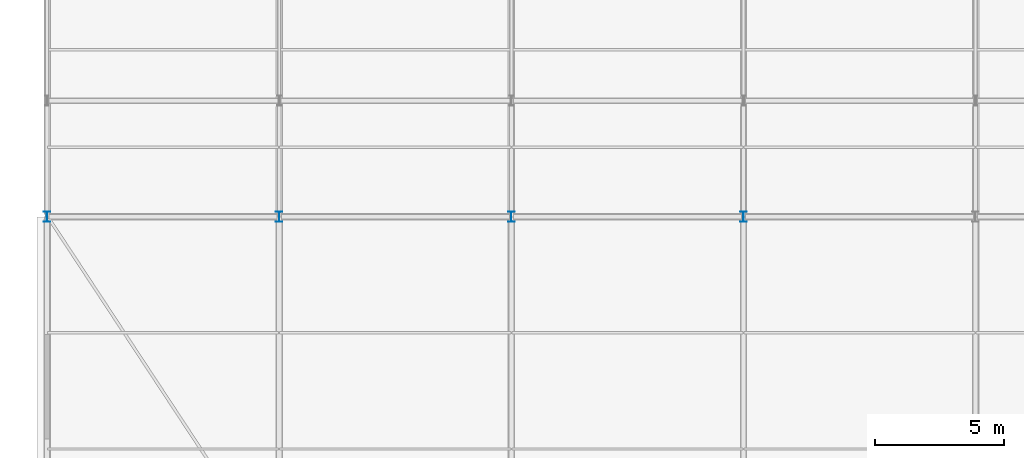
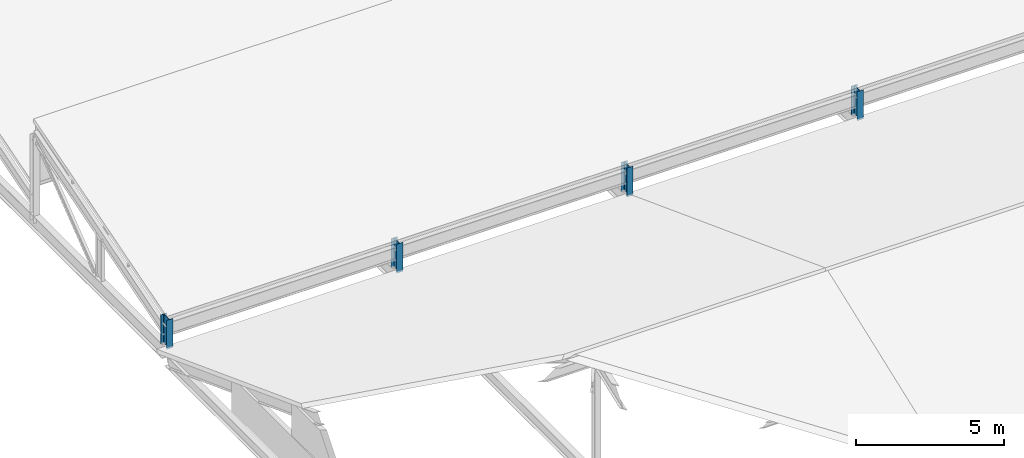
# One storey, part 2 of 163: 4 columns.
"""IFC4 building model written with IfcOpenShell, lengths in metres."""

from ifc_helpers import new_model, si_unit, direction, frame, origin, origin_2d, place, context, subcontext, project, spatial, i_section, extrude, material, material_profile, profile_set, type_object, element, save


model = new_model("IFC4")

# Units and contexts
model_context = context("Model", 3, precision=1e-05, world=origin(), true_north=direction((0.0, 1.0)))
body_context = subcontext(model_context, "Body", "Model", "MODEL_VIEW")
ifc_project = project(units=[si_unit("LENGTHUNIT", "METRE"), si_unit("AREAUNIT", "SQUARE_METRE"), si_unit("VOLUMEUNIT", "CUBIC_METRE"), si_unit("PLANEANGLEUNIT", "RADIAN"), si_unit("MASSUNIT", "GRAM", prefix="KILO")], contexts=[model_context])

# Site, building, storey
site_placement = place(None, origin())
site = spatial("IfcSite", under=ifc_project, at=site_placement, CompositionType="ELEMENT")
building_placement = place(site_placement, origin())
building = spatial("IfcBuilding", under=site, at=building_placement, Name="Tharagai Park Tramway Depot", CompositionType="ELEMENT")
storey_placement = place(building_placement, frame((0.0, 0.0, 8.39990234375)))
storey = spatial("IfcBuildingStorey", under=building, at=storey_placement, Name="L02", CompositionType="ELEMENT", Elevation=8.39990234375)

# Columns
ifc_material = material(Name="Steel E350", Category="steel")
ifc_material_profile = material_profile(ifc_material, i_section(OverallWidth=0.25, OverallDepth=0.39990234375, WebThickness=0.010498046875, FlangeThickness=0.0126953125, FilletRadius=0.013916015625, at=origin_2d()), Name="ISHB 400")
ifc_profile_set = profile_set([ifc_material_profile], Name="Steel E350")
column_type = type_object("IfcColumnType", Name="CL-06", PredefinedType="COLUMN", material=ifc_profile_set)
for number, where, z_axis, x_axis, name in (
    (1, (0.0, 90.0, 0.0), (0.0, 0.0, 1.0), (1.0, 0.0, 0.0), "Shed Roof Stanchion CL-06 (0,90)"),
    (2, (9.0, 90.0, 0.0), (0.0, 0.0, 1.0), (1.0, 0.0, 0.0), "Shed Roof Stanchion CL-06 (9,90)"),
    (3, (18.0, 90.0, 0.0), (0.0, 0.0, 1.0), (1.0, 0.0, 0.0), "Shed Roof Stanchion CL-06 (18,90)"),
    (4, (27.0, 90.0, 0.0), (0.0, 0.0, 1.0), (1.0, 0.0, 0.0), "Shed Roof Stanchion CL-06 (27,90)"),
):
    element("IfcColumn", number, at=place(storey_placement, frame(where, z_axis=z_axis, x_axis=x_axis)), inside=storey, type_object=column_type, Name=name, PredefinedType="COLUMN", context=body_context, shape_type="SweptSolid", body=[
        extrude(i_section(OverallWidth=0.25, OverallDepth=0.39990234375, WebThickness=0.010498046875, FlangeThickness=0.0126953125, FilletRadius=0.013916015625, at=origin_2d()), origin(), (0.0, 0.0, 1.0), 1.2001953125),
    ])

save(model, "model.ifc")
